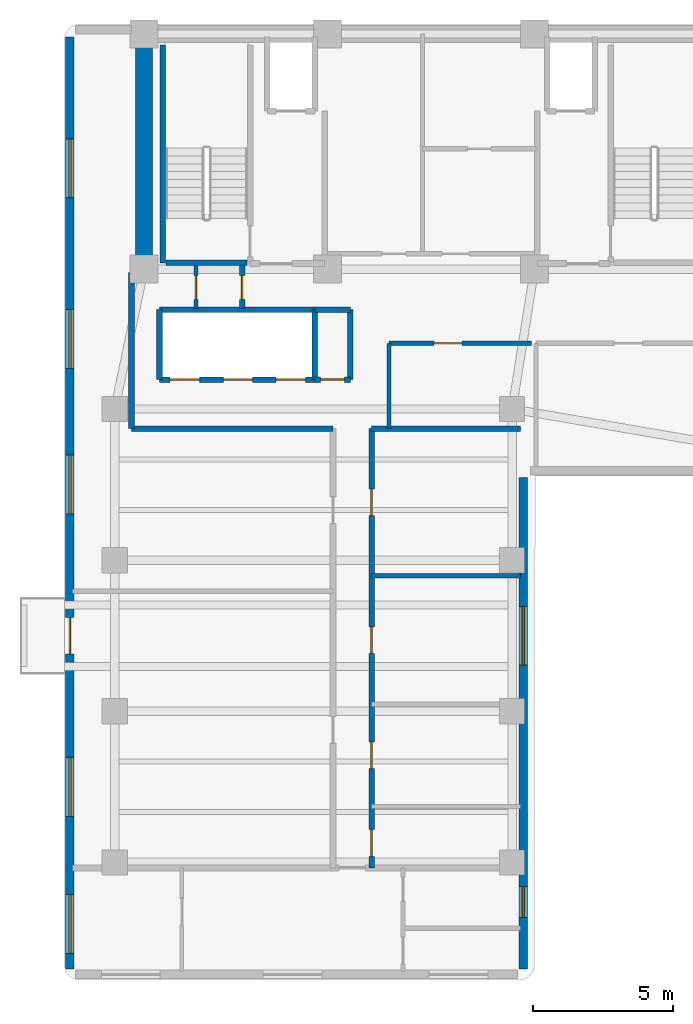
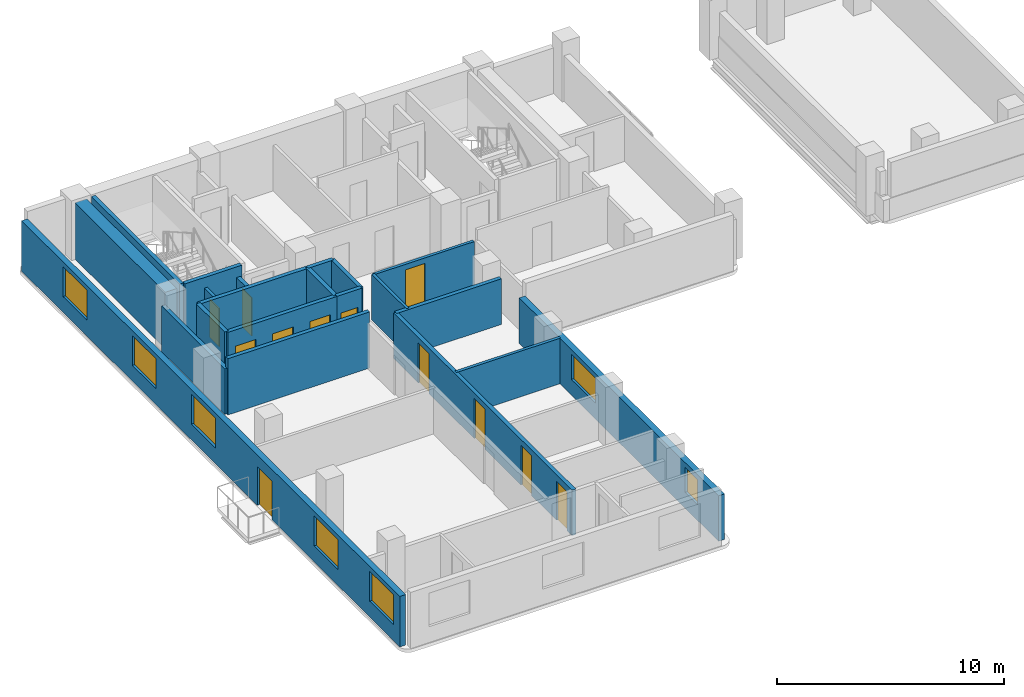
# One storey, part 6 of 10: 21 walls, 12 doors, 7 windows, 19 openings.
"""IFC4 building model written with IfcOpenShell, lengths in metres."""

from ifc_helpers import new_model, si_unit, direction, frame, frame_2d, origin, place, context, subcontext, project, spatial, rectangle, extrude, material, layer, layer_set, type_object, element, fill, save


model = new_model("IFC4")

# Units and contexts
model_context = context("Model", 3, precision=1e-05, world=origin(), true_north=direction((0.0, 1.0)))
body_context = subcontext(model_context, "Body", "Model", "MODEL_VIEW")
ifc_project = project(units=[si_unit("LENGTHUNIT", "METRE"), si_unit("AREAUNIT", "SQUARE_METRE"), si_unit("VOLUMEUNIT", "CUBIC_METRE"), si_unit("PLANEANGLEUNIT", "RADIAN"), si_unit("MASSUNIT", "GRAM", prefix="KILO")], contexts=[model_context])

# Site, building, storey
site_placement = place(None, origin())
site = spatial("IfcSite", under=ifc_project, at=site_placement, CompositionType="ELEMENT")
building_placement = place(site_placement, origin())
building = spatial("IfcBuilding", under=site, at=building_placement, Name="Kuzgunbayir Cultural Tower", CompositionType="ELEMENT")
storey_placement = place(building_placement, frame((0.0, 0.0, 163.199951171875)))
storey = spatial("IfcBuildingStorey", under=building, at=storey_placement, Name="L47", CompositionType="ELEMENT", Elevation=163.199951171875)

# Wall
ifc_material_1 = material(Name="Concrete C60/75", Category="concrete")
ifc_layer_1 = layer(ifc_material_1, 0.60009765625)
ifc_layer_set_1 = layer_set([ifc_layer_1], Name="Concrete C60/75")
wall_type_1 = type_object("IfcWallType", Name="WAL-CORE-600", PredefinedType="SHEAR", material=ifc_layer_set_1)
wall_1_placement = place(storey_placement, frame((6.449951171875, 33.800048828125, 0.0), z_axis=(0.0, 0.0, 1.0), x_axis=(0.0, 1.0, 0.0)))
element("IfcWall", 1, at=wall_1_placement, inside=storey, type_object=wall_type_1, Name="L47 T1 Core West Shear Wall", PredefinedType="SHEAR", context=body_context, shape_type="SweptSolid", body=[
    extrude(rectangle(XDim=7.949951171875, YDim=0.60009765625, at=frame_2d((3.97509765625, 0.0))), origin(), (0.0, 0.0, 1.0), 3.02001953125),
])

# Wall, openings, door, windows
ifc_material_2 = material(Name="Anatolian Cream Limestone", Category="masonry")
ifc_layer_2 = layer(ifc_material_2, 0.300048828125)
ifc_layer_set_2 = layer_set([ifc_layer_2], Name="Anatolian Cream Limestone")
wall_type_2 = type_object("IfcWallType", Name="WAL-EXT-STONE-300", PredefinedType="STANDARD", material=ifc_layer_set_2)
wall_2_placement = place(storey_placement, frame((3.800048828125, 42.10009765625, 0.0), z_axis=(0.0, 0.0, 1.0), x_axis=(0.0, -1.0, 0.0)))
wall_2 = element("IfcWall", 2, at=wall_2_placement, inside=storey, type_object=wall_type_2, Name="L47 Wing A West Limestone Wall", PredefinedType="STANDARD", context=body_context, shape_type="SweptSolid", body=[
    extrude(rectangle(XDim=33.300048828125, YDim=0.300048828125, at=frame_2d((16.64990234375, 0.0))), origin(), (0.0, 0.0, 1.0), 2.7099609375),
])
opening_1_placement = place(wall_2_placement, frame((20.75, 0.0, 0.0)))
opening_1 = element("IfcOpeningElement", 3, at=opening_1_placement, cuts=wall_2, Name="Opening BD-13", PredefinedType="OPENING", context=body_context, shape_type="SweptSolid", body=[
    extrude(rectangle(XDim=1.300048828125, YDim=2.080078125, at=frame_2d((0.64990234375, 1.0400390625))), frame((0.0, 0.16015625, 0.0), z_axis=(0.0, -1.0, 0.0), x_axis=(1.0, 0.0, 0.0)), (0.0, 0.0, 1.0), 0.320068359375),
])
opening_2_placement = place(wall_2_placement, frame((30.64990234375, 0.0, 0.85009765625)))
opening_2 = element("IfcOpeningElement", 4, at=opening_2_placement, cuts=wall_2, Name="Opening WR-21", PredefinedType="OPENING", context=body_context, shape_type="SweptSolid", body=[
    extrude(rectangle(XDim=2.10009765625, YDim=1.610107421875, at=frame_2d((1.050048828125, 0.80517578125))), frame((0.0, 0.16015625, 0.0), z_axis=(0.0, -1.0, 0.0), x_axis=(1.0, 0.0, 0.0)), (0.0, 0.0, 1.0), 0.320068359375),
])
opening_3_placement = place(wall_2_placement, frame((25.75, 0.0, 0.85009765625)))
opening_3 = element("IfcOpeningElement", 5, at=opening_3_placement, cuts=wall_2, Name="Opening WR-21", PredefinedType="OPENING", context=body_context, shape_type="SweptSolid", body=[
    extrude(rectangle(XDim=2.10009765625, YDim=1.610107421875, at=frame_2d((1.050048828125, 0.80517578125))), frame((0.0, 0.16015625, 0.0), z_axis=(0.0, -1.0, 0.0), x_axis=(1.0, 0.0, 0.0)), (0.0, 0.0, 1.0), 0.320068359375),
])
opening_4_placement = place(wall_2_placement, frame((14.949951171875, 0.0, 0.85009765625)))
opening_4 = element("IfcOpeningElement", 6, at=opening_4_placement, cuts=wall_2, Name="Opening WR-21", PredefinedType="OPENING", context=body_context, shape_type="SweptSolid", body=[
    extrude(rectangle(XDim=2.10009765625, YDim=1.610107421875, at=frame_2d((1.050048828125, 0.80517578125))), frame((0.0, 0.16015625, 0.0), z_axis=(0.0, -1.0, 0.0), x_axis=(1.0, 0.0, 0.0)), (0.0, 0.0, 1.0), 0.320068359375),
])
opening_5_placement = place(wall_2_placement, frame((9.75, 0.0, 0.85009765625)))
opening_5 = element("IfcOpeningElement", 7, at=opening_5_placement, cuts=wall_2, Name="Opening WR-21", PredefinedType="OPENING", context=body_context, shape_type="SweptSolid", body=[
    extrude(rectangle(XDim=2.10009765625, YDim=1.610107421875, at=frame_2d((1.050048828125, 0.80517578125))), frame((0.0, 0.16015625, 0.0), z_axis=(0.0, -1.0, 0.0), x_axis=(1.0, 0.0, 0.0)), (0.0, 0.0, 1.0), 0.320068359375),
])
opening_6_placement = place(wall_2_placement, frame((3.64990234375, 0.0, 0.85009765625)))
opening_6 = element("IfcOpeningElement", 8, at=opening_6_placement, cuts=wall_2, Name="Opening WR-21", PredefinedType="OPENING", context=body_context, shape_type="SweptSolid", body=[
    extrude(rectangle(XDim=2.10009765625, YDim=1.610107421875, at=frame_2d((1.050048828125, 0.80517578125))), frame((0.0, 0.16015625, 0.0), z_axis=(0.0, -1.0, 0.0), x_axis=(1.0, 0.0, 0.0)), (0.0, 0.0, 1.0), 0.320068359375),
])
ifc_material_3 = material(Name="Thermally Broken Glazed Aluminium", Category="aluminium")
door_type_1 = type_object("IfcDoorType", Name="DR-BALCONY-135", OperationType="SLIDING_TO_LEFT", PredefinedType="DOOR", material=ifc_material_3)
door_1_placement = place(opening_1_placement, origin())
door_1 = element("IfcDoor", 9, at=door_1_placement, inside=storey, type_object=door_type_1, Name="L47 West Balcony Sliding Door BAL-L47-WA2", OperationType="SLIDING_TO_LEFT", OverallHeight=2.080078125, OverallWidth=1.300048828125, PredefinedType="DOOR", context=body_context, shape_type="SweptSolid", body=[
    extrude(rectangle(XDim=1.300048828125, YDim=2.080078125, at=frame_2d((0.64990234375, 1.0400390625))), frame((0.0, 0.02490234375, 0.0), z_axis=(0.0, -1.0, 0.0), x_axis=(1.0, 0.0, 0.0)), (0.0, 0.0, 1.0), 0.050048828125),
])
fill(opening_1, door_1)
ifc_material_4 = material(Name="Solar-Control Triple Glazing", Category="glass")
window_type_1 = type_object("IfcWindowType", Name="WIN-RESID-21", PartitioningType="SINGLE_PANEL", PredefinedType="WINDOW", material=ifc_material_4)
window_1_placement = place(opening_2_placement, origin())
window_1 = element("IfcWindow", 10, at=window_1_placement, inside=storey, type_object=window_type_1, Name="L47 WAW Facade Window 5", OverallHeight=1.610107421875, OverallWidth=2.10009765625, PartitioningType="SINGLE_PANEL", PredefinedType="WINDOW", context=body_context, shape_type="SweptSolid", body=[
    extrude(rectangle(XDim=2.10009765625, YDim=1.610107421875, at=frame_2d((1.050048828125, 0.80517578125))), frame((0.0, 0.030029296875, 0.0), z_axis=(0.0, -1.0, 0.0), x_axis=(1.0, 0.0, 0.0)), (0.0, 0.0, 1.0), 0.06005859375),
])
fill(opening_2, window_1)
window_2_placement = place(opening_3_placement, origin())
window_2 = element("IfcWindow", 11, at=window_2_placement, inside=storey, type_object=window_type_1, Name="L47 WAW Facade Window 6", OverallHeight=1.610107421875, OverallWidth=2.10009765625, PartitioningType="SINGLE_PANEL", PredefinedType="WINDOW", context=body_context, shape_type="SweptSolid", body=[
    extrude(rectangle(XDim=2.10009765625, YDim=1.610107421875, at=frame_2d((1.050048828125, 0.80517578125))), frame((0.0, 0.030029296875, 0.0), z_axis=(0.0, -1.0, 0.0), x_axis=(1.0, 0.0, 0.0)), (0.0, 0.0, 1.0), 0.06005859375),
])
fill(opening_3, window_2)
window_3_placement = place(opening_4_placement, origin())
window_3 = element("IfcWindow", 12, at=window_3_placement, inside=storey, type_object=window_type_1, Name="L47 WAW Facade Window 7", OverallHeight=1.610107421875, OverallWidth=2.10009765625, PartitioningType="SINGLE_PANEL", PredefinedType="WINDOW", context=body_context, shape_type="SweptSolid", body=[
    extrude(rectangle(XDim=2.10009765625, YDim=1.610107421875, at=frame_2d((1.050048828125, 0.80517578125))), frame((0.0, 0.030029296875, 0.0), z_axis=(0.0, -1.0, 0.0), x_axis=(1.0, 0.0, 0.0)), (0.0, 0.0, 1.0), 0.06005859375),
])
fill(opening_4, window_3)
window_4_placement = place(opening_5_placement, origin())
window_4 = element("IfcWindow", 13, at=window_4_placement, inside=storey, type_object=window_type_1, Name="L47 WAW Facade Window 8", OverallHeight=1.610107421875, OverallWidth=2.10009765625, PartitioningType="SINGLE_PANEL", PredefinedType="WINDOW", context=body_context, shape_type="SweptSolid", body=[
    extrude(rectangle(XDim=2.10009765625, YDim=1.610107421875, at=frame_2d((1.050048828125, 0.80517578125))), frame((0.0, 0.030029296875, 0.0), z_axis=(0.0, -1.0, 0.0), x_axis=(1.0, 0.0, 0.0)), (0.0, 0.0, 1.0), 0.06005859375),
])
fill(opening_5, window_4)
window_5_placement = place(opening_6_placement, origin())
window_5 = element("IfcWindow", 14, at=window_5_placement, inside=storey, type_object=window_type_1, Name="L47 WAW Facade Window 9", OverallHeight=1.610107421875, OverallWidth=2.10009765625, PartitioningType="SINGLE_PANEL", PredefinedType="WINDOW", context=body_context, shape_type="SweptSolid", body=[
    extrude(rectangle(XDim=2.10009765625, YDim=1.610107421875, at=frame_2d((1.050048828125, 0.80517578125))), frame((0.0, 0.030029296875, 0.0), z_axis=(0.0, -1.0, 0.0), x_axis=(1.0, 0.0, 0.0)), (0.0, 0.0, 1.0), 0.06005859375),
])
fill(opening_6, window_5)

# Wall, openings, windows
wall_3_placement = place(storey_placement, frame((20.0, 8.800048828125, 0.0), z_axis=(0.0, 0.0, 1.0), x_axis=(0.0, 1.0, 0.0)))
wall_3 = element("IfcWall", 15, at=wall_3_placement, inside=storey, type_object=wall_type_2, Name="L47 Wing A East Limestone Wall", PredefinedType="STANDARD", context=body_context, shape_type="SweptSolid", body=[
    extrude(rectangle(XDim=17.550048828125, YDim=0.300048828125, at=frame_2d((8.77490234375, 0.0))), origin(), (0.0, 0.0, 1.0), 2.449951171875),
])
opening_7_placement = place(wall_3_placement, frame((1.840087890625, 0.0, 0.85009765625)))
opening_7 = element("IfcOpeningElement", 16, at=opening_7_placement, cuts=wall_3, Name="Opening WN-11", PredefinedType="OPENING", context=body_context, shape_type="SweptSolid", body=[
    extrude(rectangle(XDim=1.10009765625, YDim=1.35009765625, at=frame_2d((0.550048828125, 0.675048828125))), frame((0.0, 0.16015625, 0.0), z_axis=(0.0, -1.0, 0.0), x_axis=(1.0, 0.0, 0.0)), (0.0, 0.0, 1.0), 0.320068359375),
])
opening_8_placement = place(wall_3_placement, frame((10.85009765625, 0.0, 0.85009765625)))
opening_8 = element("IfcOpeningElement", 17, at=opening_8_placement, cuts=wall_3, Name="Opening WR-21", PredefinedType="OPENING", context=body_context, shape_type="SweptSolid", body=[
    extrude(rectangle(XDim=2.10009765625, YDim=1.35009765625, at=frame_2d((1.050048828125, 0.675048828125))), frame((0.0, 0.16015625, 0.0), z_axis=(0.0, -1.0, 0.0), x_axis=(1.0, 0.0, 0.0)), (0.0, 0.0, 1.0), 0.320068359375),
])
window_type_2 = type_object("IfcWindowType", Name="WIN-NARROW-11", PartitioningType="SINGLE_PANEL", PredefinedType="WINDOW", material=ifc_material_4)
window_6_placement = place(opening_7_placement, origin())
window_6 = element("IfcWindow", 18, at=window_6_placement, inside=storey, type_object=window_type_2, Name="L47 WAE Facade Window 4", OverallHeight=1.35009765625, OverallWidth=1.10009765625, PartitioningType="SINGLE_PANEL", PredefinedType="WINDOW", context=body_context, shape_type="SweptSolid", body=[
    extrude(rectangle(XDim=1.10009765625, YDim=1.35009765625, at=frame_2d((0.550048828125, 0.675048828125))), frame((0.0, 0.030029296875, 0.0), z_axis=(0.0, -1.0, 0.0), x_axis=(1.0, 0.0, 0.0)), (0.0, 0.0, 1.0), 0.06005859375),
])
fill(opening_7, window_6)
window_7_placement = place(opening_8_placement, origin())
window_7 = element("IfcWindow", 19, at=window_7_placement, inside=storey, type_object=window_type_1, Name="L47 WAE Facade Window 10", OverallHeight=1.35009765625, OverallWidth=2.10009765625, PartitioningType="SINGLE_PANEL", PredefinedType="WINDOW", context=body_context, shape_type="SweptSolid", body=[
    extrude(rectangle(XDim=2.10009765625, YDim=1.35009765625, at=frame_2d((1.050048828125, 0.675048828125))), frame((0.0, 0.030029296875, 0.0), z_axis=(0.0, -1.0, 0.0), x_axis=(1.0, 0.0, 0.0)), (0.0, 0.0, 1.0), 0.06005859375),
])
fill(opening_8, window_7)

# Wall, opening, door
ifc_material_5 = material(Name="Acoustic Double-Stud Drywall", Category="gypsum")
ifc_layer_3 = layer(ifc_material_5, 0.14990234375)
ifc_layer_set_3 = layer_set([ifc_layer_3], Name="Acoustic Double-Stud Drywall")
wall_type_3 = type_object("IfcWallType", Name="WAL-PART-ACOUSTIC-150", PredefinedType="PARTITIONING", material=ifc_layer_set_3)
wall_4_placement = place(storey_placement, frame((8.300048828125, 32.39990234375, 0.0), z_axis=(0.0, 0.0, 1.0), x_axis=(0.0, 1.0, 0.0)))
wall_4 = element("IfcWall", 20, at=wall_4_placement, inside=storey, type_object=wall_type_3, Name="L47 West Core Closet Divider", PredefinedType="PARTITIONING", context=body_context, shape_type="SweptSolid", body=[
    extrude(rectangle(XDim=1.52001953125, YDim=0.14990234375, at=frame_2d((0.760009765625, 0.0))), origin(), (0.0, 0.0, 1.0), 2.449951171875),
])
opening_9_placement = place(wall_4_placement, frame((0.320068359375, 0.0, 0.0)))
opening_9 = element("IfcOpeningElement", 21, at=opening_9_placement, cuts=wall_4, Name="Opening DR-RSR-60", PredefinedType="OPENING", context=body_context, shape_type="SweptSolid", body=[
    extrude(rectangle(XDim=0.85009765625, YDim=2.050048828125, at=frame_2d((0.425048828125, 1.02490234375))), frame((0.0, 0.0849609375, 0.0), z_axis=(0.0, -1.0, 0.0), x_axis=(1.0, 0.0, 0.0)), (0.0, 0.0, 1.0), 0.169921875),
])
ifc_material_6 = material(Name="Steel Access Leaf", Category="steel")
door_type_2 = type_object("IfcDoorType", Name="DR-RISER-60", OperationType="NOTDEFINED", PredefinedType="DOOR", material=ifc_material_6)
door_2_placement = place(opening_9_placement, origin())
door_2 = element("IfcDoor", 22, at=door_2_placement, inside=storey, type_object=door_type_2, Name="L47 Sub-Meter Closet Door", OperationType="SINGLE_SWING_RIGHT", OverallHeight=2.050048828125, OverallWidth=0.85009765625, PredefinedType="DOOR", context=body_context, shape_type="SweptSolid", body=[
    extrude(rectangle(XDim=0.85009765625, YDim=2.050048828125, at=frame_2d((0.425048828125, 1.02490234375))), frame((0.0, 0.02490234375, 0.0), z_axis=(0.0, -1.0, 0.0), x_axis=(1.0, 0.0, 0.0)), (0.0, 0.0, 1.0), 0.050048828125),
])
fill(opening_9, door_2)

wall_5_placement = place(storey_placement, frame((15.199951171875, 31.14990234375, 0.0), z_axis=(0.0, 0.0, 1.0), x_axis=(1.0, 0.0, 0.0)))
wall_5 = element("IfcWall", 23, at=wall_5_placement, inside=storey, type_object=wall_type_3, Name="L47 Central Sky Salon North Wall", PredefinedType="PARTITIONING", context=body_context, shape_type="SweptSolid", body=[
    extrude(rectangle(XDim=5.10009765625, YDim=0.14990234375, at=frame_2d((2.550048828125, 0.0))), origin(), (0.0, 0.0, 1.0), 2.449951171875),
])
opening_10_placement = place(wall_5_placement, frame((1.60009765625, 0.0, 0.0)))
opening_10 = element("IfcOpeningElement", 24, at=opening_10_placement, cuts=wall_5, Name="Opening DI-100", PredefinedType="OPENING", context=body_context, shape_type="SweptSolid", body=[
    extrude(rectangle(XDim=1.0, YDim=2.14990234375, at=frame_2d((0.5, 1.074951171875))), frame((0.0, 0.0849609375, 0.0), z_axis=(0.0, -1.0, 0.0), x_axis=(1.0, 0.0, 0.0)), (0.0, 0.0, 1.0), 0.169921875),
])
ifc_material_7 = material(Name="Veneered Oak Single Leaf", Category="wood")
door_type_3 = type_object("IfcDoorType", Name="DR-INT-100", OperationType="NOTDEFINED", PredefinedType="DOOR", material=ifc_material_7)
door_3_placement = place(opening_10_placement, origin())
door_3 = element("IfcDoor", 25, at=door_3_placement, inside=storey, type_object=door_type_3, Name="L47 Central Sky Salon Door", OperationType="SINGLE_SWING_RIGHT", OverallHeight=2.14990234375, OverallWidth=1.0, PredefinedType="DOOR", context=body_context, shape_type="SweptSolid", body=[
    extrude(rectangle(XDim=1.0, YDim=2.14990234375, at=frame_2d((0.5, 1.074951171875))), frame((0.0, 0.02490234375, 0.0), z_axis=(0.0, -1.0, 0.0), x_axis=(1.0, 0.0, 0.0)), (0.0, 0.0, 1.0), 0.050048828125),
])
fill(opening_10, door_3)

# Walls
wall_6_placement = place(storey_placement, frame((15.199951171875, 28.10009765625, 0.0), z_axis=(0.0, 0.0, 1.0), x_axis=(0.0, 1.0, 0.0)))
element("IfcWall", 26, at=wall_6_placement, inside=storey, type_object=wall_type_3, Name="L47 Central Sky Salon West Wall", PredefinedType="PARTITIONING", context=body_context, shape_type="SweptSolid", body=[
    extrude(rectangle(XDim=3.0498046875, YDim=0.14990234375, at=frame_2d((1.52490234375, 0.0))), origin(), (0.0, 0.0, 1.0), 2.449951171875),
])
wall_7_placement = place(storey_placement, frame((14.580078125, 22.840087890625, 0.0), z_axis=(0.0, 0.0, 1.0), x_axis=(1.0, 0.0, 0.0)))
element("IfcWall", 27, at=wall_7_placement, inside=storey, type_object=wall_type_3, Name="L47 East Divider 2", PredefinedType="PARTITIONING", context=body_context, shape_type="SweptSolid", body=[
    extrude(rectangle(XDim=5.31982421875, YDim=0.14990234375, at=frame_2d((2.659912109375, 0.0))), origin(), (0.0, 0.0, 1.0), 2.449951171875),
])

# Wall, opening, door
ifc_material_8 = material(Name="Aerated Concrete Blockwork", Category="masonry")
ifc_layer_4 = layer(ifc_material_8, 0.199951171875)
ifc_layer_set_4 = layer_set([ifc_layer_4], Name="Aerated Concrete Blockwork")
wall_type_4 = type_object("IfcWallType", Name="WAL-PART-FIRE-200", PredefinedType="PARTITIONING", material=ifc_layer_set_4)
wall_8_placement = place(storey_placement, frame((9.949951171875, 32.39990234375, 0.0), z_axis=(0.0, 0.0, 1.0), x_axis=(0.0, 1.0, 0.0)))
wall_8 = element("IfcWall", 28, at=wall_8_placement, inside=storey, type_object=wall_type_4, Name="L47 West Core Service Closet Wall", PredefinedType="PARTITIONING", context=body_context, shape_type="SweptSolid", body=[
    extrude(rectangle(XDim=1.52001953125, YDim=0.199951171875, at=frame_2d((0.760009765625, 0.0))), origin(), (0.0, 0.0, 1.0), 2.449951171875),
])
opening_11_placement = place(wall_8_placement, frame((0.320068359375, 0.0, 0.0)))
opening_11 = element("IfcOpeningElement", 29, at=opening_11_placement, cuts=wall_8, Name="Opening DR-RSR-60", PredefinedType="OPENING", context=body_context, shape_type="SweptSolid", body=[
    extrude(rectangle(XDim=0.85009765625, YDim=2.050048828125, at=frame_2d((0.425048828125, 1.02490234375))), frame((0.0, 0.10986328125, 0.0), z_axis=(0.0, -1.0, 0.0), x_axis=(1.0, 0.0, 0.0)), (0.0, 0.0, 1.0), 0.219970703125),
])
door_4_placement = place(opening_11_placement, origin())
door_4 = element("IfcDoor", 30, at=door_4_placement, inside=storey, type_object=door_type_2, Name="L47 Cleaner Store Door", OperationType="SINGLE_SWING_LEFT", OverallHeight=2.050048828125, OverallWidth=0.85009765625, PredefinedType="DOOR", context=body_context, shape_type="SweptSolid", body=[
    extrude(rectangle(XDim=0.85009765625, YDim=2.050048828125, at=frame_2d((0.425048828125, 1.02490234375))), frame((0.0, 0.02490234375, 0.0), z_axis=(0.0, -1.0, 0.0), x_axis=(1.0, 0.0, 0.0)), (0.0, 0.0, 1.0), 0.050048828125),
])
fill(opening_11, door_4)

wall_9_placement = place(storey_placement, frame((12.550048828125, 29.85009765625, 0.0), z_axis=(0.0, 0.0, 1.0), x_axis=(1.0, 0.0, 0.0)))
wall_9 = element("IfcWall", 31, at=wall_9_placement, inside=storey, type_object=wall_type_4, Name="L47 Center Core Switchgear South Wall", PredefinedType="PARTITIONING", context=body_context, shape_type="SweptSolid", body=[
    extrude(rectangle(XDim=1.27001953125, YDim=0.199951171875, at=frame_2d((0.635009765625, 0.0))), origin(), (0.0, 0.0, 1.0), 3.02001953125),
])
opening_12_placement = place(wall_9_placement, frame((0.2099609375, 0.0, 0.0)))
opening_12 = element("IfcOpeningElement", 32, at=opening_12_placement, cuts=wall_9, Name="Opening DR-RSR-60", PredefinedType="OPENING", context=body_context, shape_type="SweptSolid", body=[
    extrude(rectangle(XDim=0.85009765625, YDim=2.050048828125, at=frame_2d((0.425048828125, 1.02490234375))), frame((0.0, 0.10986328125, 0.0), z_axis=(0.0, -1.0, 0.0), x_axis=(1.0, 0.0, 0.0)), (0.0, 0.0, 1.0), 0.219970703125),
])
door_5_placement = place(opening_12_placement, origin())
door_5 = element("IfcDoor", 33, at=door_5_placement, inside=storey, type_object=door_type_2, Name="L47 Telecom Closet Door", OperationType="SINGLE_SWING_LEFT", OverallHeight=2.050048828125, OverallWidth=0.85009765625, PredefinedType="DOOR", context=body_context, shape_type="SweptSolid", body=[
    extrude(rectangle(XDim=0.85009765625, YDim=2.050048828125, at=frame_2d((0.425048828125, 1.02490234375))), frame((0.0, 0.02490234375, 0.0), z_axis=(0.0, -1.0, 0.0), x_axis=(1.0, 0.0, 0.0)), (0.0, 0.0, 1.0), 0.050048828125),
])
fill(opening_12, door_5)

# Walls
wall_10_placement = place(storey_placement, frame((13.820068359375, 29.85009765625, 0.0), z_axis=(0.0, 0.0, 1.0), x_axis=(0.0, 1.0, 0.0)))
element("IfcWall", 34, at=wall_10_placement, inside=storey, type_object=wall_type_4, Name="L47 Center Core Switchgear East Wall", PredefinedType="PARTITIONING", context=body_context, shape_type="SweptSolid", body=[
    extrude(rectangle(XDim=2.5, YDim=0.199951171875, at=frame_2d((1.25, 0.0))), origin(), (0.0, 0.0, 1.0), 3.02001953125),
])
wall_11_placement = place(storey_placement, frame((12.550048828125, 32.35009765625, 0.0), z_axis=(0.0, 0.0, 1.0), x_axis=(1.0, 0.0, 0.0)))
element("IfcWall", 35, at=wall_11_placement, inside=storey, type_object=wall_type_4, Name="L47 Center Core Switchgear North Wall", PredefinedType="PARTITIONING", context=body_context, shape_type="SweptSolid", body=[
    extrude(rectangle(XDim=1.27001953125, YDim=0.199951171875, at=frame_2d((0.635009765625, 0.0))), origin(), (0.0, 0.0, 1.0), 3.02001953125),
])

# Wall, openings, doors
wall_12_placement = place(storey_placement, frame((14.580078125, 12.39990234375, 0.0), z_axis=(0.0, 0.0, 1.0), x_axis=(0.0, 1.0, 0.0)))
wall_12 = element("IfcWall", 36, at=wall_12_placement, inside=storey, type_object=wall_type_4, Name="L47 Wing A East Corridor Wall", PredefinedType="PARTITIONING", context=body_context, shape_type="SweptSolid", body=[
    extrude(rectangle(XDim=15.7001953125, YDim=0.199951171875, at=frame_2d((7.85009765625, 0.0))), origin(), (0.0, 0.0, 1.0), 2.449951171875),
])
opening_13_placement = place(wall_12_placement, frame((0.419921875, 0.0, 0.0)))
opening_13 = element("IfcOpeningElement", 37, at=opening_13_placement, cuts=wall_12, Name="Opening DW-95", PredefinedType="OPENING", context=body_context, shape_type="SweptSolid", body=[
    extrude(rectangle(XDim=0.949951171875, YDim=2.10009765625, at=frame_2d((0.47509765625, 1.050048828125))), frame((0.0, 0.10986328125, 0.0), z_axis=(0.0, -1.0, 0.0), x_axis=(1.0, 0.0, 0.0)), (0.0, 0.0, 1.0), 0.219970703125),
])
opening_14_placement = place(wall_12_placement, frame((3.550048828125, 0.0, 0.0)))
opening_14 = element("IfcOpeningElement", 38, at=opening_14_placement, cuts=wall_12, Name="Opening DI-90", PredefinedType="OPENING", context=body_context, shape_type="SweptSolid", body=[
    extrude(rectangle(XDim=0.949951171875, YDim=2.14990234375, at=frame_2d((0.47509765625, 1.074951171875))), frame((0.0, 0.10986328125, 0.0), z_axis=(0.0, -1.0, 0.0), x_axis=(1.0, 0.0, 0.0)), (0.0, 0.0, 1.0), 0.219970703125),
])
opening_15_placement = place(wall_12_placement, frame((7.669921875, 0.0, 0.0)))
opening_15 = element("IfcOpeningElement", 39, at=opening_15_placement, cuts=wall_12, Name="Opening DI-90", PredefinedType="OPENING", context=body_context, shape_type="SweptSolid", body=[
    extrude(rectangle(XDim=0.949951171875, YDim=2.14990234375, at=frame_2d((0.47509765625, 1.074951171875))), frame((0.0, 0.10986328125, 0.0), z_axis=(0.0, -1.0, 0.0), x_axis=(1.0, 0.0, 0.0)), (0.0, 0.0, 1.0), 0.219970703125),
])
opening_16_placement = place(wall_12_placement, frame((12.590087890625, 0.0, 0.0)))
opening_16 = element("IfcOpeningElement", 40, at=opening_16_placement, cuts=wall_12, Name="Opening DI-90", PredefinedType="OPENING", context=body_context, shape_type="SweptSolid", body=[
    extrude(rectangle(XDim=0.949951171875, YDim=2.14990234375, at=frame_2d((0.47509765625, 1.074951171875))), frame((0.0, 0.10986328125, 0.0), z_axis=(0.0, -1.0, 0.0), x_axis=(1.0, 0.0, 0.0)), (0.0, 0.0, 1.0), 0.219970703125),
])
door_type_4 = type_object("IfcDoorType", Name="DR-INT-90", OperationType="NOTDEFINED", PredefinedType="DOOR", material=ifc_material_7)
door_6_placement = place(opening_14_placement, origin())
door_6 = element("IfcDoor", 41, at=door_6_placement, inside=storey, type_object=door_type_4, Name="L47 East Fellows Reading Lounge E1 Door", OperationType="SINGLE_SWING_RIGHT", OverallHeight=2.14990234375, OverallWidth=0.949951171875, PredefinedType="DOOR", context=body_context, shape_type="SweptSolid", body=[
    extrude(rectangle(XDim=0.949951171875, YDim=2.14990234375, at=frame_2d((0.47509765625, 1.074951171875))), frame((0.0, 0.02490234375, 0.0), z_axis=(0.0, -1.0, 0.0), x_axis=(1.0, 0.0, 0.0)), (0.0, 0.0, 1.0), 0.050048828125),
])
fill(opening_14, door_6)
door_7_placement = place(opening_15_placement, origin())
door_7 = element("IfcDoor", 42, at=door_7_placement, inside=storey, type_object=door_type_4, Name="L47 East Culinary Tasting Pantry E2 Door", OperationType="SINGLE_SWING_LEFT", OverallHeight=2.14990234375, OverallWidth=0.949951171875, PredefinedType="DOOR", context=body_context, shape_type="SweptSolid", body=[
    extrude(rectangle(XDim=0.949951171875, YDim=2.14990234375, at=frame_2d((0.47509765625, 1.074951171875))), frame((0.0, 0.02490234375, 0.0), z_axis=(0.0, -1.0, 0.0), x_axis=(1.0, 0.0, 0.0)), (0.0, 0.0, 1.0), 0.050048828125),
])
fill(opening_15, door_7)
door_8_placement = place(opening_16_placement, origin())
door_8 = element("IfcDoor", 43, at=door_8_placement, inside=storey, type_object=door_type_4, Name="L47 East Fellows Reading Lounge E3 Door", OperationType="SINGLE_SWING_RIGHT", OverallHeight=2.14990234375, OverallWidth=0.949951171875, PredefinedType="DOOR", context=body_context, shape_type="SweptSolid", body=[
    extrude(rectangle(XDim=0.949951171875, YDim=2.14990234375, at=frame_2d((0.47509765625, 1.074951171875))), frame((0.0, 0.02490234375, 0.0), z_axis=(0.0, -1.0, 0.0), x_axis=(1.0, 0.0, 0.0)), (0.0, 0.0, 1.0), 0.050048828125),
])
fill(opening_16, door_8)
ifc_material_9 = material(Name="Laminate Moisture-Resistant Leaf", Category="wood")
door_type_5 = type_object("IfcDoorType", Name="DR-WET-95", OperationType="NOTDEFINED", PredefinedType="DOOR", material=ifc_material_9)
door_9_placement = place(opening_13_placement, origin())
door_9 = element("IfcDoor", 44, at=door_9_placement, inside=storey, type_object=door_type_5, Name="L47 Visitor Accessible WC Door", OperationType="SINGLE_SWING_LEFT", OverallHeight=2.10009765625, OverallWidth=0.949951171875, PredefinedType="DOOR", context=body_context, shape_type="SweptSolid", body=[
    extrude(rectangle(XDim=0.949951171875, YDim=2.10009765625, at=frame_2d((0.47509765625, 1.050048828125))), frame((0.0, 0.02490234375, 0.0), z_axis=(0.0, -1.0, 0.0), x_axis=(1.0, 0.0, 0.0)), (0.0, 0.0, 1.0), 0.050048828125),
])
fill(opening_13, door_9)

# Walls
wall_13_placement = place(storey_placement, frame((6.0, 28.10009765625, 0.0), z_axis=(0.0, 0.0, 1.0), x_axis=(1.0, 0.0, 0.0)))
element("IfcWall", 45, at=wall_13_placement, inside=storey, type_object=wall_type_4, Name="L47 North West Partition", PredefinedType="PARTITIONING", context=body_context, shape_type="SweptSolid", body=[
    extrude(rectangle(XDim=7.199951171875, YDim=0.199951171875, at=frame_2d((3.60009765625, 0.0))), origin(), (0.0, 0.0, 1.0), 3.02001953125),
])
wall_14_placement = place(storey_placement, frame((6.0, 28.10009765625, 0.0), z_axis=(0.0, 0.0, 1.0), x_axis=(0.0, 1.0, 0.0)))
element("IfcWall", 46, at=wall_14_placement, inside=storey, type_object=wall_type_4, Name="L47 North West Gallery Wing Wall", PredefinedType="PARTITIONING", context=body_context, shape_type="SweptSolid", body=[
    extrude(rectangle(XDim=5.579833984375, YDim=0.199951171875, at=frame_2d((2.7900390625, 0.0))), origin(), (0.0, 0.0, 1.0), 2.449951171875),
])
wall_15_placement = place(storey_placement, frame((14.580078125, 28.10009765625, 0.0), z_axis=(0.0, 0.0, 1.0), x_axis=(1.0, 0.0, 0.0)))
element("IfcWall", 47, at=wall_15_placement, inside=storey, type_object=wall_type_4, Name="L47 North East Partition", PredefinedType="PARTITIONING", context=body_context, shape_type="SweptSolid", body=[
    extrude(rectangle(XDim=5.31982421875, YDim=0.199951171875, at=frame_2d((2.659912109375, 0.0))), origin(), (0.0, 0.0, 1.0), 2.449951171875),
])

# Wall, openings, doors
ifc_material_10 = material(Name="Concrete C40/50", Category="concrete")
ifc_layer_5 = layer(ifc_material_10, 0.199951171875)
ifc_layer_set_5 = layer_set([ifc_layer_5], Name="Concrete C40/50")
wall_type_5 = type_object("IfcWallType", Name="WAL-SHAFT-200", PredefinedType="MOVABLE", material=ifc_layer_set_5)
wall_16_placement = place(storey_placement, frame((7.0, 29.85009765625, 0.0), z_axis=(0.0, 0.0, 1.0), x_axis=(1.0, 0.0, 0.0)))
wall_16 = element("IfcWall", 48, at=wall_16_placement, inside=storey, type_object=wall_type_5, Name="L47 High-Rise Lift Shaft South Wall", PredefinedType="MOVABLE", context=body_context, shape_type="SweptSolid", body=[
    extrude(rectangle(XDim=5.550048828125, YDim=0.199951171875, at=frame_2d((2.77490234375, 0.0))), origin(), (0.0, 0.0, 1.0), 3.02001953125),
])
opening_17_placement = place(wall_16_placement, frame((0.3798828125, 0.0, 0.0)))
opening_17 = element("IfcOpeningElement", 49, at=opening_17_placement, cuts=wall_16, Name="Opening LD", PredefinedType="OPENING", context=body_context, shape_type="SweptSolid", body=[
    extrude(rectangle(XDim=1.050048828125, YDim=2.14990234375, at=frame_2d((0.52490234375, 1.074951171875))), frame((0.0, 0.10986328125, 0.0), z_axis=(0.0, -1.0, 0.0), x_axis=(1.0, 0.0, 0.0)), (0.0, 0.0, 1.0), 0.219970703125),
])
opening_18_placement = place(wall_16_placement, frame((2.280029296875, 0.0, 0.0)))
opening_18 = element("IfcOpeningElement", 50, at=opening_18_placement, cuts=wall_16, Name="Opening LD", PredefinedType="OPENING", context=body_context, shape_type="SweptSolid", body=[
    extrude(rectangle(XDim=1.050048828125, YDim=2.14990234375, at=frame_2d((0.52490234375, 1.074951171875))), frame((0.0, 0.10986328125, 0.0), z_axis=(0.0, -1.0, 0.0), x_axis=(1.0, 0.0, 0.0)), (0.0, 0.0, 1.0), 0.219970703125),
])
opening_19_placement = place(wall_16_placement, frame((4.169921875, 0.0, 0.0)))
opening_19 = element("IfcOpeningElement", 51, at=opening_19_placement, cuts=wall_16, Name="Opening LD", PredefinedType="OPENING", context=body_context, shape_type="SweptSolid", body=[
    extrude(rectangle(XDim=1.050048828125, YDim=2.14990234375, at=frame_2d((0.52490234375, 1.074951171875))), frame((0.0, 0.10986328125, 0.0), z_axis=(0.0, -1.0, 0.0), x_axis=(1.0, 0.0, 0.0)), (0.0, 0.0, 1.0), 0.219970703125),
])
ifc_material_11 = material(Name="Brushed Stainless Steel", Category="steel")
door_type_6 = type_object("IfcDoorType", Name="DR-LIFT-LANDING", OperationType="SLIDING_TO_LEFT", PredefinedType="DOOR", material=ifc_material_11)
door_10_placement = place(opening_17_placement, origin())
door_10 = element("IfcDoor", 52, at=door_10_placement, inside=storey, type_object=door_type_6, Name="L47 Lift PH-1 Landing Door", OperationType="SLIDING_TO_LEFT", OverallHeight=2.14990234375, OverallWidth=1.050048828125, PredefinedType="DOOR", context=body_context, shape_type="SweptSolid", body=[
    extrude(rectangle(XDim=1.050048828125, YDim=2.14990234375, at=frame_2d((0.52490234375, 1.074951171875))), frame((0.0, 0.02490234375, 0.0), z_axis=(0.0, -1.0, 0.0), x_axis=(1.0, 0.0, 0.0)), (0.0, 0.0, 1.0), 0.050048828125),
])
fill(opening_17, door_10)
door_11_placement = place(opening_18_placement, origin())
door_11 = element("IfcDoor", 53, at=door_11_placement, inside=storey, type_object=door_type_6, Name="L47 Lift PH-2 Landing Door", OperationType="SLIDING_TO_LEFT", OverallHeight=2.14990234375, OverallWidth=1.050048828125, PredefinedType="DOOR", context=body_context, shape_type="SweptSolid", body=[
    extrude(rectangle(XDim=1.050048828125, YDim=2.14990234375, at=frame_2d((0.52490234375, 1.074951171875))), frame((0.0, 0.02490234375, 0.0), z_axis=(0.0, -1.0, 0.0), x_axis=(1.0, 0.0, 0.0)), (0.0, 0.0, 1.0), 0.050048828125),
])
fill(opening_18, door_11)
door_12_placement = place(opening_19_placement, origin())
door_12 = element("IfcDoor", 54, at=door_12_placement, inside=storey, type_object=door_type_6, Name="L47 Lift PH-3 Landing Door", OperationType="SLIDING_TO_LEFT", OverallHeight=2.14990234375, OverallWidth=1.050048828125, PredefinedType="DOOR", context=body_context, shape_type="SweptSolid", body=[
    extrude(rectangle(XDim=1.050048828125, YDim=2.14990234375, at=frame_2d((0.52490234375, 1.074951171875))), frame((0.0, 0.02490234375, 0.0), z_axis=(0.0, -1.0, 0.0), x_axis=(1.0, 0.0, 0.0)), (0.0, 0.0, 1.0), 0.050048828125),
])
fill(opening_19, door_12)

# Walls
wall_17_placement = place(storey_placement, frame((7.0, 32.35009765625, 0.0), z_axis=(0.0, 0.0, 1.0), x_axis=(1.0, 0.0, 0.0)))
element("IfcWall", 55, at=wall_17_placement, inside=storey, type_object=wall_type_5, Name="L47 High-Rise Lift Shaft North Wall", PredefinedType="MOVABLE", context=body_context, shape_type="SweptSolid", body=[
    extrude(rectangle(XDim=5.550048828125, YDim=0.199951171875, at=frame_2d((2.77490234375, 0.0))), origin(), (0.0, 0.0, 1.0), 3.02001953125),
])
for number, where, z_axis, x_axis, name in (
    (56, (7.0, 29.85009765625, 0.0), (0.0, 0.0, 1.0), (0.0, 1.0, 0.0), "L47 High-Rise Lift Shaft West Wall"),
    (57, (12.550048828125, 29.85009765625, 0.0), (0.0, 0.0, 1.0), (0.0, 1.0, 0.0), "L47 High-Rise Lift Shaft East Wall"),
):
    element("IfcWall", number, at=place(storey_placement, frame(where, z_axis=z_axis, x_axis=x_axis)), inside=storey, type_object=wall_type_5, Name=name, PredefinedType="MOVABLE", context=body_context, shape_type="SweptSolid", body=[
        extrude(rectangle(XDim=2.5, YDim=0.199951171875, at=frame_2d((1.25, 0.0))), origin(), (0.0, 0.0, 1.0), 3.02001953125),
    ])
ifc_layer_6 = layer(ifc_material_10, 0.199951171875)
ifc_layer_set_6 = layer_set([ifc_layer_6], Name="Concrete C40/50")
wall_type_6 = type_object("IfcWallType", Name="WAL-STAIR-RC-200", PredefinedType="SHEAR", material=ifc_layer_set_6)
wall_18_placement = place(storey_placement, frame((7.1201171875, 34.02001953125, 0.0), z_axis=(0.0, 0.0, 1.0), x_axis=(0.0, 1.0, 0.0)))
element("IfcWall", 58, at=wall_18_placement, inside=storey, type_object=wall_type_6, Name="L47 Stair ST-1 West Structural Wall", PredefinedType="SHEAR", context=body_context, shape_type="SweptSolid", body=[
    extrude(rectangle(XDim=7.780029296875, YDim=0.199951171875, at=frame_2d((3.89013671875, 0.0))), origin(), (0.0, 0.0, 1.0), 3.02001953125),
])
wall_19_placement = place(storey_placement, frame((7.239990234375, 34.02001953125, 0.0), z_axis=(0.0, 0.0, 1.0), x_axis=(1.0, 0.0, 0.0)))
element("IfcWall", 59, at=wall_19_placement, inside=storey, type_object=wall_type_6, Name="L47 Stair ST-1 South Structural Wall", PredefinedType="SHEAR", context=body_context, shape_type="SweptSolid", body=[
    extrude(rectangle(XDim=2.880126953125, YDim=0.199951171875, at=frame_2d((1.43994140625, 0.0))), origin(), (0.0, 0.0, 1.0), 3.02001953125),
])

save(model, "model.ifc")
